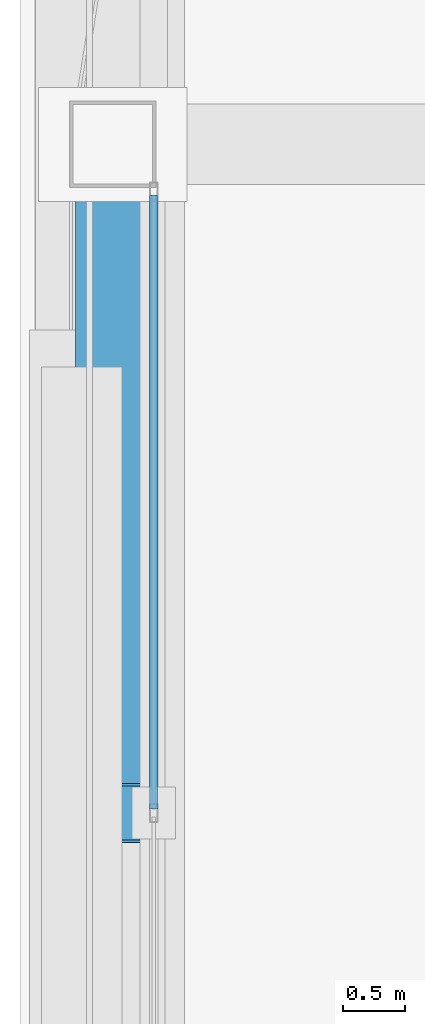
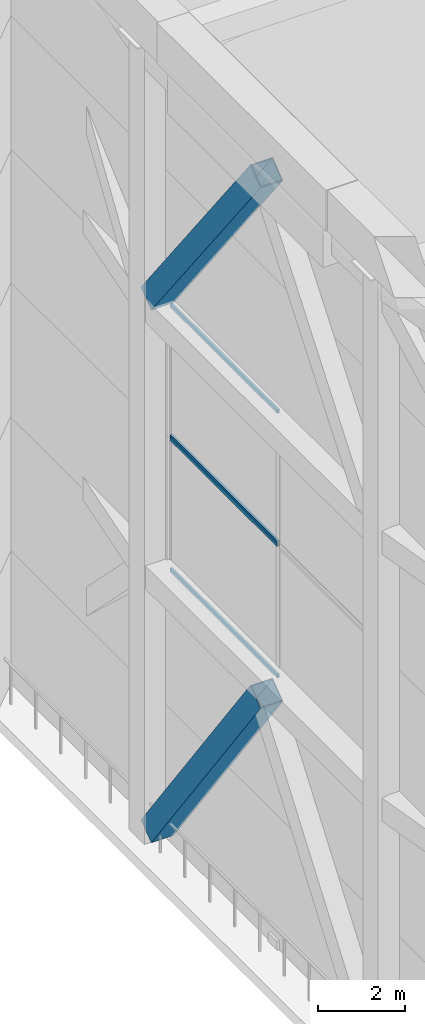
# One storey, part 14 of 28: 6 members, 2 elements without a shape of their own.
"""IFC4 building model written with IfcOpenShell, lengths in metres."""

import ifcopenshell
import ifcopenshell.guid

model = None  # the IFC model being written
_history = None  # IfcOwnerHistory: only IFC2X3 demands one
_inside = {}  # id of a spatial element -> (the spatial element, [elements in it])
_under = {}  # id of a project, library or spatial element -> (it, [spatial elements below it])
_declared = {}  # id of a project -> (the project, [libraries it declares])
_typed = {}  # id of a type object -> (the type object, [elements of that type])
_made_of = {}  # id of a material, layer set ... -> (it, [elements and type objects made of it])


def new_model(schema):
    """Start an empty IFC model of exactly this schema.

    Asked for "IFC4X3", IfcOpenShell would pick the latest addendum, in which some entities
    have other attributes; the version numbers below select the first issue.
    IFC2X3 requires an IfcOwnerHistory on every rooted entity: one is made here for all.
    """
    global model, _history
    if schema == "IFC4X3":
        model = ifcopenshell.file(schema_version=(4, 3, 0, 0))
    else:
        model = ifcopenshell.file(schema=schema)
    _inside.clear()
    _under.clear()
    _declared.clear()
    _typed.clear()
    _made_of.clear()
    _history = None
    if model.schema == "IFC2X3":
        org = make("IfcOrganization", Name="unknown")
        user = make(
            "IfcPersonAndOrganization",
            ThePerson=make("IfcPerson", FamilyName="unknown"),
            TheOrganization=org,
        )
        app = make(
            "IfcApplication",
            ApplicationDeveloper=org,
            Version="unknown",
            ApplicationFullName="unknown",
            ApplicationIdentifier="unknown",
        )
        _history = make(
            "IfcOwnerHistory",
            OwningUser=user,
            OwningApplication=app,
            ChangeAction="ADDED",
            CreationDate=0,
        )
    return model


def make(cls, **values):
    """One entity of the class cls with the attributes given. An attribute that is None is left unset."""
    return model.create_entity(
        cls, **{name: value for name, value in values.items() if value is not None}
    )


def rooted(cls, **values):
    """An entity with a GlobalId (a new one), such as an element, a storey or a relation."""
    return make(cls, GlobalId=ifcopenshell.guid.new(), OwnerHistory=_history, **values)


def si_unit(unit_type, name, prefix=None):
    """IfcSIUnit, for example si_unit("LENGTHUNIT", "METRE", prefix="MILLI")."""
    return make("IfcSIUnit", UnitType=unit_type, Prefix=prefix, Name=name)


def assignment(units):
    """IfcUnitAssignment: the units of a project."""
    return None if units is None else make("IfcUnitAssignment", Units=units)


def point(xyz):
    """IfcCartesianPoint."""
    return None if xyz is None else make("IfcCartesianPoint", Coordinates=xyz)


def direction(xyz):
    """IfcDirection."""
    return None if xyz is None else make("IfcDirection", DirectionRatios=xyz)


def frame(location, z_axis=None, x_axis=None):
    """IfcAxis2Placement3D, a coordinate frame: its origin and axes. An axis left out is left unset."""
    return make(
        "IfcAxis2Placement3D",
        Location=point(location),
        Axis=direction(z_axis),
        RefDirection=direction(x_axis),
    )


def frame_2d(location, x_axis=None):
    """IfcAxis2Placement2D, a coordinate frame in the plane: its origin and x axis."""
    return make(
        "IfcAxis2Placement2D", Location=point(location), RefDirection=direction(x_axis)
    )


def origin():
    """The frame at (0, 0, 0) with its axes left unset."""
    return frame((0.0, 0.0, 0.0))


def origin_2d():
    """The frame at (0, 0) in the plane with its x axis left unset."""
    return frame_2d((0.0, 0.0))


def place(relative_to, where):
    """IfcLocalPlacement: puts the frame where relative to a parent placement (None: the world)."""
    return make(
        "IfcLocalPlacement", PlacementRelTo=relative_to, RelativePlacement=where
    )


def context(
    kind, dimensions, precision=None, world=None, true_north=None, identifier=None
):
    """IfcGeometricRepresentationContext, for example the 3D "Model" context."""
    return make(
        "IfcGeometricRepresentationContext",
        ContextIdentifier=identifier,
        ContextType=kind,
        CoordinateSpaceDimension=dimensions,
        Precision=precision,
        WorldCoordinateSystem=world,
        TrueNorth=true_north,
    )


def subcontext(parent, identifier, kind, view, scale=None):
    """IfcGeometricRepresentationSubContext, for example "Body" below "Model"."""
    return make(
        "IfcGeometricRepresentationSubContext",
        ContextIdentifier=identifier,
        ContextType=kind,
        ParentContext=parent,
        TargetScale=scale,
        TargetView=view,
    )


def project(units=None, contexts=None):
    """IfcProject with its units and contexts."""
    return rooted(
        "IfcProject",
        Name="project",
        RepresentationContexts=contexts,
        UnitsInContext=assignment(units),
    )


def spatial(cls, under=None, at=None, **own):
    """A site, building, storey or space (cls), placed at a placement, below another one or the project."""
    s = rooted(cls, ObjectPlacement=at, **own)
    if under is not None:
        _under.setdefault(under.id(), (under, []))[1].append(s)
    return s


def profile(cls, at=None, kind="AREA", **sizes):
    """A parametric profile (cls). Its sizes go by their IFC names, for example OverallWidth=200.0."""
    return make(cls, ProfileType=kind, Position=at, **sizes)


def hollow_rectangle(**sizes):
    """IfcRectangleHollowProfileDef."""
    return profile("IfcRectangleHollowProfileDef", **sizes)


def extrude(swept, where, along, depth):
    """IfcExtrudedAreaSolid: the profile swept, set in the frame where, extruded along a direction by depth."""
    return make(
        "IfcExtrudedAreaSolid",
        SweptArea=swept,
        Position=where,
        ExtrudedDirection=direction(along),
        Depth=depth,
    )


def shape(context_of_items, identifier, shape_type, items):
    """IfcShapeRepresentation: the items that make up one representation, for example the "Body"."""
    return make(
        "IfcShapeRepresentation",
        ContextOfItems=context_of_items,
        RepresentationIdentifier=identifier,
        RepresentationType=shape_type,
        Items=items,
    )


def material(Name=None, Category=None):
    """IfcMaterial."""
    return make("IfcMaterial", Name=Name, Category=Category)


def material_profile(
    of_material, cross_section, Name=None, Category=None, Priority=None
):
    """IfcMaterialProfile: a cross section and its material."""
    return make(
        "IfcMaterialProfile",
        Name=Name,
        Material=of_material,
        Profile=cross_section,
        Priority=Priority,
        Category=Category,
    )


def profile_set(profiles, Name=None, composite=None):
    """IfcMaterialProfileSet."""
    return make(
        "IfcMaterialProfileSet",
        Name=Name,
        MaterialProfiles=profiles,
        CompositeProfile=composite,
    )


def made_of(thing, what):
    """Note that an element or type object is made of a material, layer set ...; save() writes the relation."""
    if what is not None:
        _made_of.setdefault(what.id(), (what, []))[1].append(thing)
    return thing


def type_object(cls, material=None, **own):
    """A type object (cls), such as IfcWallType, which elements share."""
    return made_of(rooted(cls, **own), material)


def element(
    cls,
    number,
    at=None,
    inside=None,
    cuts=None,
    type_object=None,
    material=None,
    context=None,
    identifier="Body",
    shape_type=None,
    held_by="IfcProductDefinitionShape",
    body=None,
    shapes=None,
    **own,
):
    """One element of the class cls, such as IfcWall. Its Tag is "e" and its number.

    at: its placement. inside: the storey or other place that contains it. cuts: it is an
    opening in that element (IfcRelVoidsElement). A single representation is given by context,
    identifier, shape_type and body (its items); several are given by shapes. held_by: the class
    of the entity that holds the representations. save() writes the other relations.
    """
    e = rooted(cls, Tag="e%d" % number, ObjectPlacement=at, **own)
    if body is not None:
        shapes = [shape(context, identifier, shape_type, body)]
    if shapes is not None:
        e.Representation = make(held_by, Representations=shapes)
    if inside is not None:
        _inside.setdefault(inside.id(), (inside, []))[1].append(e)
    if cuts is not None:
        rooted(
            "IfcRelVoidsElement", RelatingBuildingElement=cuts, RelatedOpeningElement=e
        )
    if type_object is not None:
        _typed.setdefault(type_object.id(), (type_object, []))[1].append(e)
    return made_of(e, material)


def aggregate(whole, parts):
    """IfcRelAggregates: a whole, such as a stair, and the parts it consists of."""
    return rooted("IfcRelAggregates", RelatingObject=whole, RelatedObjects=parts)


def save(model, path):
    """Write the relations noted so far, then the file.

    IfcRelAggregates (storeys below a building ...), IfcRelContainedInSpatialStructure (elements
    in a storey), IfcRelDefinesByType, IfcRelAssociatesMaterial and IfcRelDeclares: one each for
    every whole, place, type object, material and project.
    """
    for whole, parts in _under.values():
        aggregate(whole, parts)
    for where, things in _inside.values():
        rooted(
            "IfcRelContainedInSpatialStructure",
            RelatedElements=things,
            RelatingStructure=where,
        )
    for kind, things in _typed.values():
        rooted("IfcRelDefinesByType", RelatedObjects=things, RelatingType=kind)
    for what, things in _made_of.values():
        rooted("IfcRelAssociatesMaterial", RelatedObjects=things, RelatingMaterial=what)
    for by, libraries in _declared.values():
        rooted("IfcRelDeclares", RelatingContext=by, RelatedDefinitions=libraries)
    model.write(path)


model = new_model("IFC4")

# Units and contexts
model_context = context("Model", 3, precision=1e-05, world=origin(), true_north=direction((0.0, 1.0)))
body_context = subcontext(model_context, "Body", "Model", "MODEL_VIEW")
ifc_project = project(units=[si_unit("LENGTHUNIT", "METRE"), si_unit("AREAUNIT", "SQUARE_METRE"), si_unit("VOLUMEUNIT", "CUBIC_METRE"), si_unit("PLANEANGLEUNIT", "RADIAN"), si_unit("MASSUNIT", "GRAM", prefix="KILO")], contexts=[model_context])

# Site, building, storey
site_placement = place(None, origin())
site = spatial("IfcSite", under=ifc_project, at=site_placement, CompositionType="ELEMENT")
building_placement = place(site_placement, origin())
building = spatial("IfcBuilding", under=site, at=building_placement, Name="Tashvorn Skyway Center", CompositionType="ELEMENT")
storey_placement = place(building_placement, frame((0.0, 0.0, 277.60009765625)))
storey = spatial("IfcBuildingStorey", under=building, at=storey_placement, Name="Roof Level", CompositionType="ELEMENT", Elevation=277.60009765625)

# Curtain wall, members
ifc_material_1 = material(Name="Thermally broken bronze-anodized aluminium 6063-T6", Category="aluminium")
curtain_wall_type = type_object("IfcCurtainWallType", Name="CW-CW-SKY", PredefinedType="NOTDEFINED", material=ifc_material_1)
curtain_wall_1_placement = place(storey_placement, origin())
curtain_wall_1 = element("IfcCurtainWall", 1, at=curtain_wall_1_placement, inside=storey, type_object=curtain_wall_type, Name="CROWN Lantern Fritted Curtain Wall T1 W-3", PredefinedType="NOTDEFINED")
ifc_material_profile_1 = material_profile(ifc_material_1, hollow_rectangle(XDim=0.06494140625, YDim=0.10498046875, WallThickness=0.00390625, at=origin_2d()), Name="ALU-TRAN-65x105")
ifc_profile_set_1 = profile_set([ifc_material_profile_1], Name="Thermally broken bronze-anodized aluminium 6063-T6")
member_type_1 = type_object("IfcMemberType", Name="CWT-CW-SKY", PredefinedType="USERDEFINED", material=ifc_profile_set_1)
member_1_placement = place(storey_placement, frame((27.780029296875, 32.032470703125, 7.5625), z_axis=(0.0, 1.0, 0.0), x_axis=(-1.0, 0.0, 0.0)))
member_1 = element("IfcMember", 2, at=member_1_placement, type_object=member_type_1, Name="CW-SKY transom 2.1", ObjectType="TRANSOM", PredefinedType="USERDEFINED", context=body_context, shape_type="SweptSolid", body=[
    extrude(hollow_rectangle(XDim=0.06494140625, YDim=0.10498046875, WallThickness=0.00390625, at=origin_2d()), origin(), (0.0, 0.0, 1.0), 4.95263671875),
])
member_2_placement = place(storey_placement, frame((27.780029296875, 32.032470703125, 11.262451171875), z_axis=(0.0, 1.0, 0.0), x_axis=(-1.0, 0.0, 0.0)))
member_2 = element("IfcMember", 3, at=member_2_placement, type_object=member_type_1, Name="CW-SKY transom 2.2", ObjectType="TRANSOM", PredefinedType="USERDEFINED", context=body_context, shape_type="SweptSolid", body=[
    extrude(hollow_rectangle(XDim=0.06494140625, YDim=0.10498046875, WallThickness=0.00390625, at=origin_2d()), origin(), (0.0, 0.0, 1.0), 4.95263671875),
])
aggregate(curtain_wall_1, [member_1, member_2])

curtain_wall_2_placement = place(storey_placement, origin())
curtain_wall_2 = element("IfcCurtainWall", 4, at=curtain_wall_2_placement, inside=storey, type_object=curtain_wall_type, Name="CROWN Lantern Fritted Curtain Wall T1 W-4", PredefinedType="NOTDEFINED")
member_3_placement = place(storey_placement, frame((27.780029296875, 32.032470703125, 11.327392578125), z_axis=(0.0, 1.0, 0.0), x_axis=(-1.0, 0.0, 0.0)))
member_3 = element("IfcMember", 5, at=member_3_placement, type_object=member_type_1, Name="CW-SKY transom 2.1", ObjectType="TRANSOM", PredefinedType="USERDEFINED", context=body_context, shape_type="SweptSolid", body=[
    extrude(hollow_rectangle(XDim=0.06494140625, YDim=0.10498046875, WallThickness=0.00390625, at=origin_2d()), origin(), (0.0, 0.0, 1.0), 4.95263671875),
])
member_4_placement = place(storey_placement, frame((27.780029296875, 32.032470703125, 15.02734375), z_axis=(0.0, 1.0, 0.0), x_axis=(-1.0, 0.0, 0.0)))
member_4 = element("IfcMember", 6, at=member_4_placement, type_object=member_type_1, Name="CW-SKY transom 2.2", ObjectType="TRANSOM", PredefinedType="USERDEFINED", context=body_context, shape_type="SweptSolid", body=[
    extrude(hollow_rectangle(XDim=0.06494140625, YDim=0.10498046875, WallThickness=0.00390625, at=origin_2d()), origin(), (0.0, 0.0, 1.0), 4.95263671875),
])
aggregate(curtain_wall_2, [member_3, member_4])

# Members
ifc_material_2 = material(Name="Steel ASTM A572 Grade 50", Category="steel")
ifc_material_profile_2 = material_profile(ifc_material_2, hollow_rectangle(XDim=0.60009765625, YDim=0.60009765625, WallThickness=0.02490234375, at=origin_2d()), Name="BOX600x600x25")
ifc_profile_set_2 = profile_set([ifc_material_profile_2], Name="Steel ASTM A572 Grade 50")
member_type_2 = type_object("IfcMemberType", Name="MEM-CF-BRC-600", PredefinedType="BRACE", material=ifc_profile_set_2)
member_5_placement = place(storey_placement, frame((27.449951171875, 37.054931640625, 0.349853515625), z_axis=(0.0, -0.593207833758, 0.805049356231), x_axis=(1.0, 0.0, 0.0)))
element("IfcMember", 7, at=member_5_placement, inside=storey, type_object=member_type_2, Name="CROWN FRAME Tower 1 Tier-1 Chevron Brace 11A", PredefinedType="BRACE", context=body_context, shape_type="SweptSolid", body=[
    extrude(hollow_rectangle(XDim=0.60009765625, YDim=0.60009765625, WallThickness=0.02490234375, at=origin_2d()), origin(), (0.0, 0.0, 1.0), 8.521240234375),
])
member_6_placement = place(storey_placement, frame((27.449951171875, 37.054931640625, 15.3798828125), z_axis=(0.0, -0.612716787586, 0.790302561182), x_axis=(1.0, 0.0, 0.0)))
element("IfcMember", 8, at=member_6_placement, inside=storey, type_object=member_type_2, Name="CROWN FRAME Tower 1 Tier-3 Chevron Brace 11A", PredefinedType="BRACE", context=body_context, shape_type="SweptSolid", body=[
    extrude(hollow_rectangle(XDim=0.60009765625, YDim=0.60009765625, WallThickness=0.02490234375, at=origin_2d()), origin(), (0.0, 0.0, 1.0), 8.25),
])

save(model, "model.ifc")
